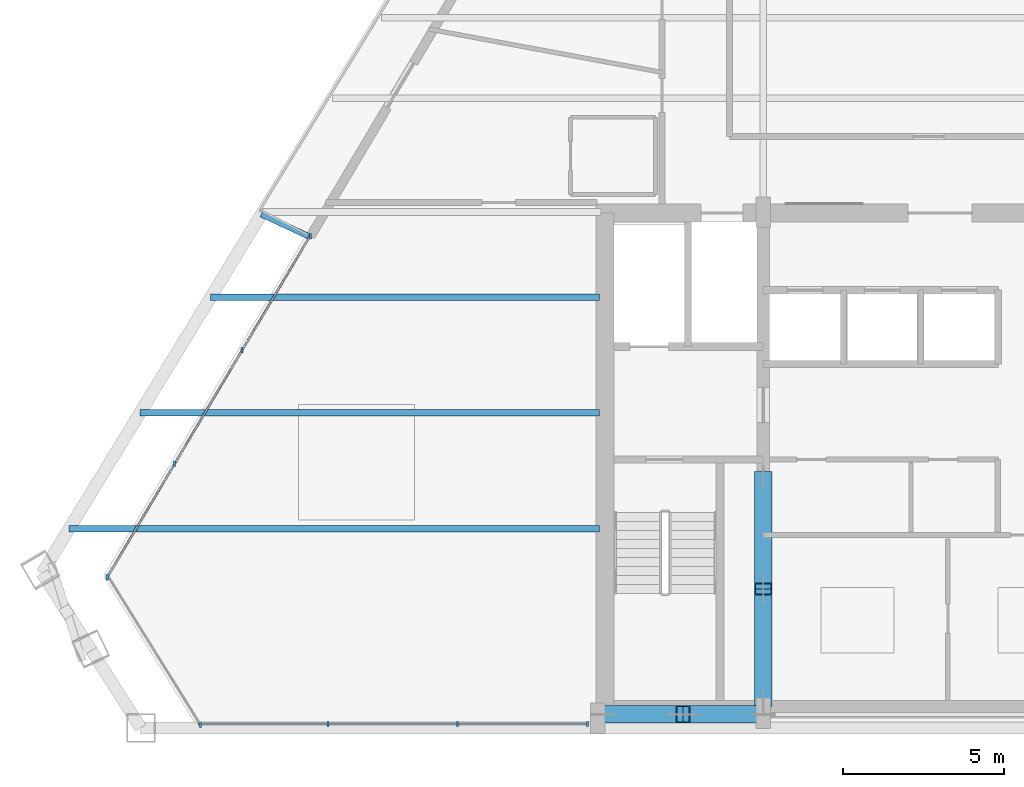
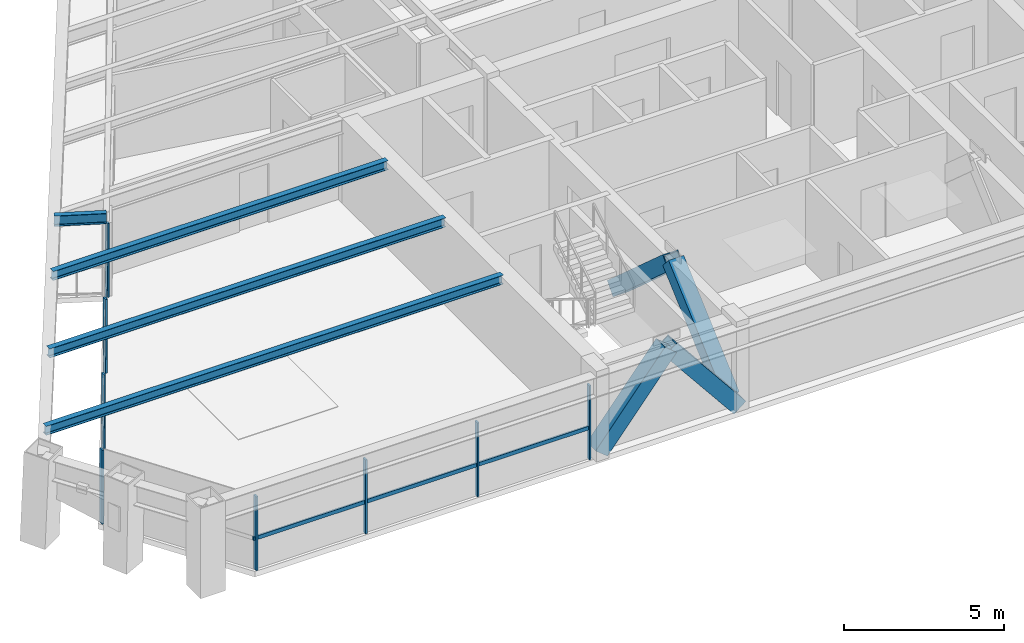
# One storey, part 2 of 12: 18 members, 4 beams, 3 elements without a shape of their own.
"""IFC4 building model written with IfcOpenShell, lengths in metres."""

from ifc_helpers import new_model, si_unit, direction, frame, origin, origin_2d, place, context, subcontext, project, spatial, rectangle, hollow_rectangle, i_section, extrude, source, transform, mapped, material, material_profile, profile_set, type_object, element, aggregate, save


model = new_model("IFC4")

# Units and contexts
model_context = context("Model", 3, precision=1e-05, world=origin(), true_north=direction((0.0, 1.0)))
body_context = subcontext(model_context, "Body", "Model", "MODEL_VIEW")
ifc_project = project(units=[si_unit("LENGTHUNIT", "METRE"), si_unit("AREAUNIT", "SQUARE_METRE"), si_unit("VOLUMEUNIT", "CUBIC_METRE"), si_unit("PLANEANGLEUNIT", "RADIAN"), si_unit("MASSUNIT", "GRAM", prefix="KILO")], contexts=[model_context])

# Site, building, storey
site_placement = place(None, origin())
site = spatial("IfcSite", under=ifc_project, at=site_placement, CompositionType="ELEMENT")
building_placement = place(site_placement, origin())
building = spatial("IfcBuilding", under=site, at=building_placement, Name="Varnakhor Terracotta Tower", CompositionType="ELEMENT")
storey_placement = place(building_placement, frame((0.0, 0.0, 230.35009765625)))
storey = spatial("IfcBuildingStorey", under=building, at=storey_placement, Name="L59", CompositionType="ELEMENT", Elevation=230.35009765625)

# Member
ifc_material_1 = material(Name="Steel S355", Category="steel")
ifc_material_profile_1 = material_profile(ifc_material_1, hollow_rectangle(XDim=0.550048828125, YDim=0.550048828125, WallThickness=0.034912109375, at=origin_2d()), Name="HSS550X550X35")
ifc_profile_set_1 = profile_set([ifc_material_profile_1], Name="Steel S355")
member_type_1 = type_object("IfcMemberType", Name="MBR-MEGA-550", PredefinedType="BRACE", material=ifc_profile_set_1)
shared_shape_1 = source(origin(), body_context, "Body", "SweptSolid", [
    extrude(hollow_rectangle(XDim=0.550048828125, YDim=0.550048828125, WallThickness=0.034912109375, at=origin_2d()), origin(), (0.0, 0.0, 1.0), 4.650146484375),
])
member_1_placement = place(storey_placement, frame((-5.5, 7.800048828125, 0.0), z_axis=(0.0, -0.747316617832, 0.664468112638), x_axis=(1.0, 0.0, 0.0)))
element("IfcMember", 1, at=member_1_placement, inside=storey, type_object=member_type_1, Name="L59 Core Coupled Brace CWWB", PredefinedType="BRACE", context=body_context, shape_type="MappedRepresentation", body=[
    mapped(shared_shape_1, transform((0.0, 0.0, 0.0), scale=1.0)),
])

# Beams
ifc_material_profile_2 = material_profile(ifc_material_1, i_section(OverallWidth=0.202880859375, OverallDepth=0.346923828125, WebThickness=0.0078125, FlangeThickness=0.013427734375, FilletRadius=0.01806640625, at=origin_2d()), Name="W14X43")
ifc_profile_set_2 = profile_set([ifc_material_profile_2], Name="Steel S355")
beam_type_1 = type_object("IfcBeamType", Name="JST-W14X43", PredefinedType="JOIST", material=ifc_profile_set_2)
shared_shape_2 = source(origin(), body_context, "Body", "SweptSolid", [
    extrude(i_section(OverallWidth=0.202880859375, OverallDepth=0.346923828125, WebThickness=0.0078125, FlangeThickness=0.013427734375, FilletRadius=0.01806640625, at=origin_2d()), origin(), (0.0, 0.0, 1.0), 16.4990234375),
])
beam_1_placement = place(storey_placement, frame((-27.09912109375, 6.199951171875, 3.06640625), z_axis=(1.0, 0.0, 0.0), x_axis=(0.0, 1.0, 0.0)))
element("IfcBeam", 2, at=beam_1_placement, inside=storey, type_object=beam_type_1, Name="L59 Floor Joist W1", PredefinedType="JOIST", context=body_context, shape_type="MappedRepresentation", body=[
    mapped(shared_shape_2, transform((0.0, 0.0, 0.0), scale=1.0)),
])
shared_shape_3 = source(origin(), body_context, "Body", "SweptSolid", [
    extrude(i_section(OverallWidth=0.202880859375, OverallDepth=0.346923828125, WebThickness=0.0078125, FlangeThickness=0.013427734375, FilletRadius=0.01806640625, at=origin_2d()), origin(), (0.0, 0.0, 1.0), 14.298828125),
])
beam_2_placement = place(storey_placement, frame((-24.89892578125, 9.800048828125, 3.06640625), z_axis=(1.0, 0.0, 0.0), x_axis=(0.0, 1.0, 0.0)))
element("IfcBeam", 3, at=beam_2_placement, inside=storey, type_object=beam_type_1, Name="L59 Floor Joist W2", PredefinedType="JOIST", context=body_context, shape_type="MappedRepresentation", body=[
    mapped(shared_shape_3, transform((0.0, 0.0, 0.0), scale=1.0)),
])
shared_shape_4 = source(origin(), body_context, "Body", "SweptSolid", [
    extrude(i_section(OverallWidth=0.202880859375, OverallDepth=0.346923828125, WebThickness=0.0078125, FlangeThickness=0.013427734375, FilletRadius=0.01806640625, at=origin_2d()), origin(), (0.0, 0.0, 1.0), 12.098388671875),
])
beam_3_placement = place(storey_placement, frame((-22.698486328125, 13.39990234375, 3.06640625), z_axis=(1.0, 0.0, 0.0), x_axis=(0.0, 1.0, 0.0)))
element("IfcBeam", 4, at=beam_3_placement, inside=storey, type_object=beam_type_1, Name="L59 Floor Joist W3", PredefinedType="JOIST", context=body_context, shape_type="MappedRepresentation", body=[
    mapped(shared_shape_4, transform((0.0, 0.0, 0.0), scale=1.0)),
])

# Members
shared_shape_5 = source(origin(), body_context, "Body", "SweptSolid", [
    extrude(hollow_rectangle(XDim=0.550048828125, YDim=0.550048828125, WallThickness=0.034912109375, at=origin_2d()), origin(), (0.0, 0.0, 1.0), 3.974609375),
])
for number, where, z_axis, x_axis, name in (
    (5, (-10.5, 0.419921875, 0.0), (0.629000299358, 0.0, 0.777405057488), (0.0, 1.0, 0.0), "L59 Core Coupled Brace CSWA"),
    (6, (-5.5, 0.419921875, 0.0), (-0.629000299358, 0.0, 0.777405057488), (0.0, -1.0, 0.0), "L59 Core Coupled Brace CSWB"),
):
    element("IfcMember", number, at=place(storey_placement, frame(where, z_axis=z_axis, x_axis=x_axis)), inside=storey, type_object=member_type_1, Name=name, PredefinedType="BRACE", context=body_context, shape_type="MappedRepresentation", body=[
        mapped(shared_shape_5, transform((0.0, 0.0, 0.0), scale=1.0)),
    ])
shared_shape_6 = source(origin(), body_context, "Body", "SweptSolid", [
    extrude(hollow_rectangle(XDim=0.550048828125, YDim=0.550048828125, WallThickness=0.034912109375, at=origin_2d()), origin(), (0.0, 0.0, 1.0), 4.64990234375),
])
member_2_placement = place(storey_placement, frame((-5.5, 0.85009765625, 0.0), z_axis=(0.0, 0.747293435799, 0.664494184182), x_axis=(-1.0, 0.0, 0.0)))
element("IfcMember", 7, at=member_2_placement, inside=storey, type_object=member_type_1, Name="L59 Core Coupled Brace CWWA", PredefinedType="BRACE", context=body_context, shape_type="MappedRepresentation", body=[
    mapped(shared_shape_6, transform((0.0, 0.0, 0.0), scale=1.0)),
])

# Curtain wall, members
ifc_material_2 = material(Name="Anodised Aluminium Curtain Wall System", Category="aluminium")
curtain_wall_type = type_object("IfcCurtainWallType", Name="CW-SYS-HOTEL-LOGGIA", PredefinedType="NOTDEFINED", material=ifc_material_2)
curtain_wall_1_placement = place(storey_placement, origin())
curtain_wall_1 = element("IfcCurtainWall", 8, at=curtain_wall_1_placement, inside=storey, type_object=curtain_wall_type, Name="L59 W Facet Curtain Wall 1", PredefinedType="NOTDEFINED")
ifc_material_3 = material(Name="Anodised Aluminium 6063-T6", Category="aluminium")
ifc_material_profile_3 = material_profile(ifc_material_3, rectangle(XDim=0.06494140625, YDim=0.159912109375, at=origin_2d()), Name="ALU MULLION 65x160")
ifc_profile_set_3 = profile_set([ifc_material_profile_3], Name="Anodised Aluminium 6063-T6")
member_type_2 = type_object("IfcMemberType", Name="CWM-04", PredefinedType="MULLION", material=ifc_profile_set_3)
shared_shape_7 = source(origin(), body_context, "Body", "SweptSolid", [
    extrude(rectangle(XDim=0.06494140625, YDim=0.159912109375, at=origin_2d()), origin(), (0.0, 0.0, 1.0), 2.81982421875),
])
member_3_placement = place(storey_placement, frame((-25.915283203125, 4.68798828125, 0.0), z_axis=(0.0, 0.0, 1.0), x_axis=(1.0, 0.0, 0.0)))
member_3 = element("IfcMember", 9, at=member_3_placement, type_object=member_type_2, Name="L59 W Facet Curtain Wall 1 Mullion 1", PredefinedType="MULLION", context=body_context, shape_type="MappedRepresentation", body=[
    mapped(shared_shape_7, transform((0.0, 0.0, 0.0), scale=1.0)),
])
member_4_placement = place(storey_placement, frame((-23.81640625, 8.22021484375, 0.0), z_axis=(0.0, 0.0, 1.0), x_axis=(1.0, 0.0, 0.0)))
member_4 = element("IfcMember", 10, at=member_4_placement, type_object=member_type_2, Name="L59 W Facet Curtain Wall 1 Mullion 2", PredefinedType="MULLION", context=body_context, shape_type="MappedRepresentation", body=[
    mapped(shared_shape_7, transform((0.0, 0.0, 0.0), scale=1.0)),
])
member_5_placement = place(storey_placement, frame((-21.717529296875, 11.75244140625, 0.0), z_axis=(0.0, 0.0, 1.0), x_axis=(1.0, 0.0, 0.0)))
member_5 = element("IfcMember", 11, at=member_5_placement, type_object=member_type_2, Name="L59 W Facet Curtain Wall 1 Mullion 3", PredefinedType="MULLION", context=body_context, shape_type="MappedRepresentation", body=[
    mapped(shared_shape_7, transform((0.0, 0.0, 0.0), scale=1.0)),
])
member_6_placement = place(storey_placement, frame((-19.586181640625, 15.30029296875, 0.0), z_axis=(0.0, 0.0, 1.0), x_axis=(1.0, 0.0, 0.0)))
member_6 = element("IfcMember", 12, at=member_6_placement, type_object=member_type_2, Name="L59 W Loggia Jamb Closure Mullion 1", PredefinedType="MULLION", context=body_context, shape_type="MappedRepresentation", body=[
    mapped(shared_shape_7, transform((0.0, 0.0, 0.0), scale=1.0)),
])

curtain_wall_2_placement = place(storey_placement, origin())
curtain_wall_2 = element("IfcCurtainWall", 13, at=curtain_wall_2_placement, inside=storey, type_object=curtain_wall_type, Name="L59 South Wing Curtain Wall SSW", PredefinedType="NOTDEFINED")
member_7_placement = place(storey_placement, frame((-10.969970703125, 0.1201171875, 0.0), z_axis=(0.0, 0.0, 1.0), x_axis=(1.0, 0.0, 0.0)))
member_7 = element("IfcMember", 14, at=member_7_placement, type_object=member_type_2, Name="L59 South Wing Curtain Wall SSW Mullion 1", PredefinedType="MULLION", context=body_context, shape_type="MappedRepresentation", body=[
    mapped(shared_shape_7, transform((0.0, 0.0, 0.0), scale=1.0)),
])
member_8_placement = place(storey_placement, frame((-15.00927734375, 0.1201171875, 0.0), z_axis=(0.0, 0.0, 1.0), x_axis=(1.0, 0.0, 0.0)))
member_8 = element("IfcMember", 15, at=member_8_placement, type_object=member_type_2, Name="L59 South Wing Curtain Wall SSW Mullion 2", PredefinedType="MULLION", context=body_context, shape_type="MappedRepresentation", body=[
    mapped(shared_shape_7, transform((0.0, 0.0, 0.0), scale=1.0)),
])
member_9_placement = place(storey_placement, frame((-19.048583984375, 0.1201171875, 0.0), z_axis=(0.0, 0.0, 1.0), x_axis=(1.0, 0.0, 0.0)))
member_9 = element("IfcMember", 16, at=member_9_placement, type_object=member_type_2, Name="L59 South Wing Curtain Wall SSW Mullion 3", PredefinedType="MULLION", context=body_context, shape_type="MappedRepresentation", body=[
    mapped(shared_shape_7, transform((0.0, 0.0, 0.0), scale=1.0)),
])

# Curtain wall, member
curtain_wall_3_placement = place(storey_placement, origin())
curtain_wall_3 = element("IfcCurtainWall", 17, at=curtain_wall_3_placement, inside=storey, type_object=curtain_wall_type, Name="L59 Facet Curtain Wall 6", PredefinedType="NOTDEFINED")
member_10_placement = place(storey_placement, frame((-23.01171875, 0.0888671875, 0.0), z_axis=(0.0, 0.0, 1.0), x_axis=(1.0, 0.0, 0.0)))
member_10 = element("IfcMember", 18, at=member_10_placement, type_object=member_type_2, Name="L59 Facet Curtain Wall 6 Mullion 1", PredefinedType="MULLION", context=body_context, shape_type="MappedRepresentation", body=[
    mapped(shared_shape_7, transform((0.0, 0.0, 0.0), scale=1.0)),
])
aggregate(curtain_wall_3, [member_10])

# Member
ifc_material_profile_4 = material_profile(ifc_material_3, rectangle(XDim=0.06494140625, YDim=0.14501953125, at=origin_2d()), Name="ALU TRANSOM 65x145")
ifc_profile_set_4 = profile_set([ifc_material_profile_4], Name="Anodised Aluminium 6063-T6")
member_type_3 = type_object("IfcMemberType", Name="CWT-04", PredefinedType="USERDEFINED", material=ifc_profile_set_4)
shared_shape_8 = source(origin(), body_context, "Body", "SweptSolid", [
    extrude(rectangle(XDim=0.06494140625, YDim=0.14501953125, at=origin_2d()), origin(), (0.0, 0.0, 1.0), 4.108642578125),
])
member_11_placement = place(storey_placement, frame((-25.915283203125, 4.68798828125, 1.184326171875), z_axis=(0.510829773392, 0.859681884546, 0.0), x_axis=(-0.859681884546, 0.510829773392, 0.0)))
member_11 = element("IfcMember", 19, at=member_11_placement, type_object=member_type_3, Name="L59 W Facet Curtain Wall 1 Transom 1", ObjectType="TRANSOM", PredefinedType="USERDEFINED", context=body_context, shape_type="MappedRepresentation", body=[
    mapped(shared_shape_8, transform((0.0, 0.0, 0.0), scale=1.0)),
])

member_12_placement = place(storey_placement, frame((-23.81640625, 8.22021484375, 1.184326171875), z_axis=(0.510829773392, 0.859681884546, 0.0), x_axis=(-0.859681884546, 0.510829773392, 0.0)))
member_12 = element("IfcMember", 20, at=member_12_placement, type_object=member_type_3, Name="L59 W Facet Curtain Wall 1 Transom 2", ObjectType="TRANSOM", PredefinedType="USERDEFINED", context=body_context, shape_type="MappedRepresentation", body=[
    mapped(shared_shape_8, transform((0.0, 0.0, 0.0), scale=1.0)),
])

member_13_placement = place(storey_placement, frame((-21.717529296875, 11.75244140625, 1.184326171875), z_axis=(0.510785857208, 0.859707978372, 0.0), x_axis=(-0.859707978372, 0.510785857208, 0.0)))
member_13 = element("IfcMember", 21, at=member_13_placement, type_object=member_type_3, Name="L59 W Facet Curtain Wall 1 Transom 3", ObjectType="TRANSOM", PredefinedType="USERDEFINED", context=body_context, shape_type="MappedRepresentation", body=[
    mapped(shared_shape_8, transform((0.0, 0.0, 0.0), scale=1.0)),
])

aggregate(curtain_wall_1, [member_3, member_11, member_4, member_12, member_5, member_13, member_6])

shared_shape_9 = source(origin(), body_context, "Body", "SweptSolid", [
    extrude(rectangle(XDim=0.06494140625, YDim=0.14501953125, at=origin_2d()), origin(), (0.0, 0.0, 1.0), 4.039306640625),
])
member_14_placement = place(storey_placement, frame((-10.969970703125, 0.1201171875, 1.184326171875), z_axis=(-1.0, 0.0, 0.0), x_axis=(0.0, -1.0, 0.0)))
member_14 = element("IfcMember", 22, at=member_14_placement, type_object=member_type_3, Name="L59 South Wing Curtain Wall SSW Transom 1", ObjectType="TRANSOM", PredefinedType="USERDEFINED", context=body_context, shape_type="MappedRepresentation", body=[
    mapped(shared_shape_9, transform((0.0, 0.0, 0.0), scale=1.0)),
])

member_15_placement = place(storey_placement, frame((-15.00927734375, 0.1201171875, 1.184326171875), z_axis=(-1.0, 0.0, 0.0), x_axis=(0.0, -1.0, 0.0)))
member_15 = element("IfcMember", 23, at=member_15_placement, type_object=member_type_3, Name="L59 South Wing Curtain Wall SSW Transom 2", ObjectType="TRANSOM", PredefinedType="USERDEFINED", context=body_context, shape_type="MappedRepresentation", body=[
    mapped(shared_shape_9, transform((0.0, 0.0, 0.0), scale=1.0)),
])

shared_shape_10 = source(origin(), body_context, "Body", "SweptSolid", [
    extrude(rectangle(XDim=0.06494140625, YDim=0.14501953125, at=origin_2d()), origin(), (0.0, 0.0, 1.0), 4.0390625),
])
member_16_placement = place(storey_placement, frame((-19.048583984375, 0.1201171875, 1.184326171875), z_axis=(-1.0, 0.0, 0.0), x_axis=(0.0, -1.0, 0.0)))
member_16 = element("IfcMember", 24, at=member_16_placement, type_object=member_type_3, Name="L59 South Wing Curtain Wall SSW Transom 3", ObjectType="TRANSOM", PredefinedType="USERDEFINED", context=body_context, shape_type="MappedRepresentation", body=[
    mapped(shared_shape_10, transform((0.0, 0.0, 0.0), scale=1.0)),
])

aggregate(curtain_wall_2, [member_7, member_14, member_8, member_15, member_9, member_16])

# Beam
ifc_material_profile_5 = material_profile(ifc_material_1, i_section(OverallWidth=0.179931640625, OverallDepth=0.39990234375, WebThickness=0.008544921875, FlangeThickness=0.013427734375, FilletRadius=0.01806640625, at=origin_2d()), Name="IPE400")
ifc_profile_set_5 = profile_set([ifc_material_profile_5], Name="Steel S355")
beam_type_2 = type_object("IfcBeamType", Name="JST-IPE400", PredefinedType="JOIST", material=ifc_profile_set_5)
shared_shape_11 = source(origin(), body_context, "Body", "SweptSolid", [
    extrude(i_section(OverallWidth=0.179931640625, OverallDepth=0.39990234375, WebThickness=0.008544921875, FlangeThickness=0.013427734375, FilletRadius=0.01806640625, at=origin_2d()), origin(), (0.0, 0.0, 1.0), 1.643310546875),
])
beam_4_placement = place(storey_placement, frame((-19.62939453125, 15.2900390625, 3.039794921875), z_axis=(-0.906221089844, 0.422804134704, 0.0), x_axis=(-0.422804134704, -0.906221089844, 0.0)))
element("IfcBeam", 25, at=beam_4_placement, inside=storey, type_object=beam_type_2, Name="L60 W Loggia Tie Beam 1", PredefinedType="JOIST", context=body_context, shape_type="MappedRepresentation", body=[
    mapped(shared_shape_11, transform((0.0, 0.0, 0.0), scale=1.0)),
])

save(model, "model.ifc")
